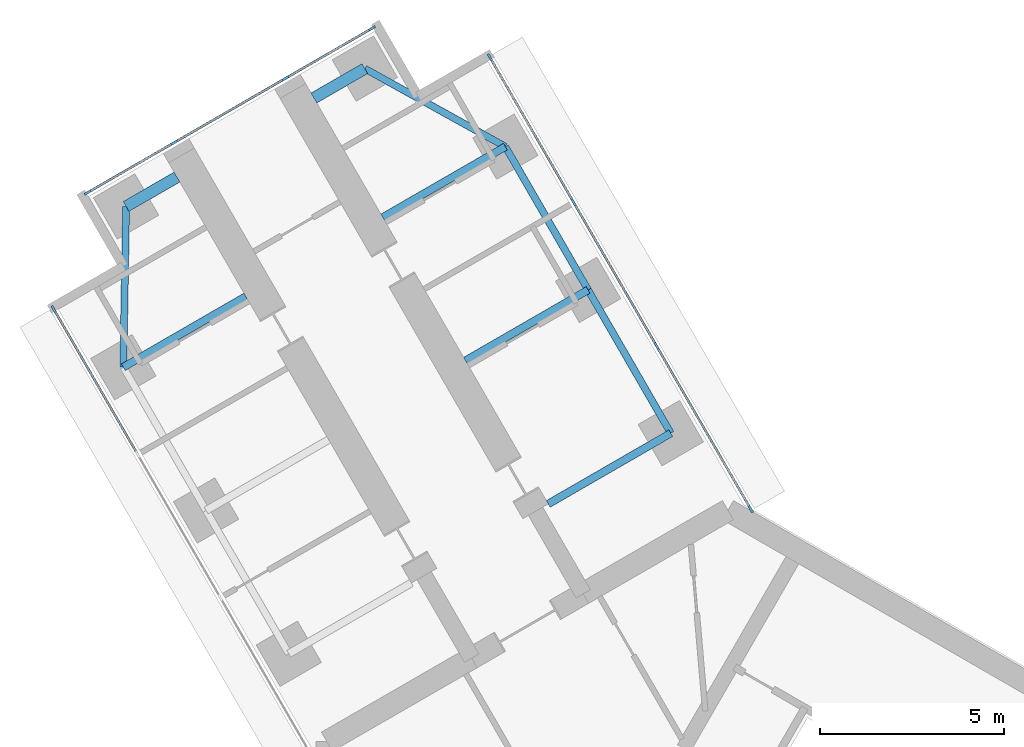
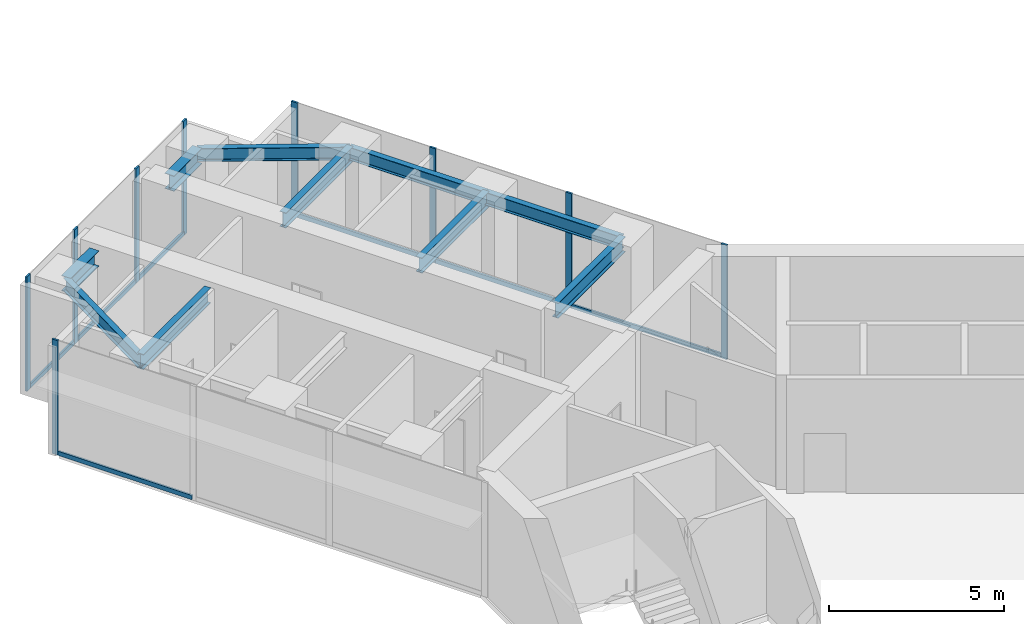
# One storey, part 6 of 22: 16 members, 10 beams, 3 elements without a shape of their own.
"""IFC4 building model written with IfcOpenShell, lengths in metres."""

import ifcopenshell
import ifcopenshell.guid

model = None  # the IFC model being written
_history = None  # IfcOwnerHistory: only IFC2X3 demands one
_inside = {}  # id of a spatial element -> (the spatial element, [elements in it])
_under = {}  # id of a project, library or spatial element -> (it, [spatial elements below it])
_declared = {}  # id of a project -> (the project, [libraries it declares])
_typed = {}  # id of a type object -> (the type object, [elements of that type])
_made_of = {}  # id of a material, layer set ... -> (it, [elements and type objects made of it])


def new_model(schema):
    """Start an empty IFC model of exactly this schema.

    Asked for "IFC4X3", IfcOpenShell would pick the latest addendum, in which some entities
    have other attributes; the version numbers below select the first issue.
    IFC2X3 requires an IfcOwnerHistory on every rooted entity: one is made here for all.
    """
    global model, _history
    if schema == "IFC4X3":
        model = ifcopenshell.file(schema_version=(4, 3, 0, 0))
    else:
        model = ifcopenshell.file(schema=schema)
    _inside.clear()
    _under.clear()
    _declared.clear()
    _typed.clear()
    _made_of.clear()
    _history = None
    if model.schema == "IFC2X3":
        org = make("IfcOrganization", Name="unknown")
        user = make(
            "IfcPersonAndOrganization",
            ThePerson=make("IfcPerson", FamilyName="unknown"),
            TheOrganization=org,
        )
        app = make(
            "IfcApplication",
            ApplicationDeveloper=org,
            Version="unknown",
            ApplicationFullName="unknown",
            ApplicationIdentifier="unknown",
        )
        _history = make(
            "IfcOwnerHistory",
            OwningUser=user,
            OwningApplication=app,
            ChangeAction="ADDED",
            CreationDate=0,
        )
    return model


def make(cls, **values):
    """One entity of the class cls with the attributes given. An attribute that is None is left unset."""
    return model.create_entity(
        cls, **{name: value for name, value in values.items() if value is not None}
    )


def rooted(cls, **values):
    """An entity with a GlobalId (a new one), such as an element, a storey or a relation."""
    return make(cls, GlobalId=ifcopenshell.guid.new(), OwnerHistory=_history, **values)


def si_unit(unit_type, name, prefix=None):
    """IfcSIUnit, for example si_unit("LENGTHUNIT", "METRE", prefix="MILLI")."""
    return make("IfcSIUnit", UnitType=unit_type, Prefix=prefix, Name=name)


def assignment(units):
    """IfcUnitAssignment: the units of a project."""
    return None if units is None else make("IfcUnitAssignment", Units=units)


def point(xyz):
    """IfcCartesianPoint."""
    return None if xyz is None else make("IfcCartesianPoint", Coordinates=xyz)


def direction(xyz):
    """IfcDirection."""
    return None if xyz is None else make("IfcDirection", DirectionRatios=xyz)


def frame(location, z_axis=None, x_axis=None):
    """IfcAxis2Placement3D, a coordinate frame: its origin and axes. An axis left out is left unset."""
    return make(
        "IfcAxis2Placement3D",
        Location=point(location),
        Axis=direction(z_axis),
        RefDirection=direction(x_axis),
    )


def frame_2d(location, x_axis=None):
    """IfcAxis2Placement2D, a coordinate frame in the plane: its origin and x axis."""
    return make(
        "IfcAxis2Placement2D", Location=point(location), RefDirection=direction(x_axis)
    )


def origin():
    """The frame at (0, 0, 0) with its axes left unset."""
    return frame((0.0, 0.0, 0.0))


def origin_2d():
    """The frame at (0, 0) in the plane with its x axis left unset."""
    return frame_2d((0.0, 0.0))


def place(relative_to, where):
    """IfcLocalPlacement: puts the frame where relative to a parent placement (None: the world)."""
    return make(
        "IfcLocalPlacement", PlacementRelTo=relative_to, RelativePlacement=where
    )


def context(
    kind, dimensions, precision=None, world=None, true_north=None, identifier=None
):
    """IfcGeometricRepresentationContext, for example the 3D "Model" context."""
    return make(
        "IfcGeometricRepresentationContext",
        ContextIdentifier=identifier,
        ContextType=kind,
        CoordinateSpaceDimension=dimensions,
        Precision=precision,
        WorldCoordinateSystem=world,
        TrueNorth=true_north,
    )


def subcontext(parent, identifier, kind, view, scale=None):
    """IfcGeometricRepresentationSubContext, for example "Body" below "Model"."""
    return make(
        "IfcGeometricRepresentationSubContext",
        ContextIdentifier=identifier,
        ContextType=kind,
        ParentContext=parent,
        TargetScale=scale,
        TargetView=view,
    )


def project(units=None, contexts=None):
    """IfcProject with its units and contexts."""
    return rooted(
        "IfcProject",
        Name="project",
        RepresentationContexts=contexts,
        UnitsInContext=assignment(units),
    )


def spatial(cls, under=None, at=None, **own):
    """A site, building, storey or space (cls), placed at a placement, below another one or the project."""
    s = rooted(cls, ObjectPlacement=at, **own)
    if under is not None:
        _under.setdefault(under.id(), (under, []))[1].append(s)
    return s


def profile(cls, at=None, kind="AREA", **sizes):
    """A parametric profile (cls). Its sizes go by their IFC names, for example OverallWidth=200.0."""
    return make(cls, ProfileType=kind, Position=at, **sizes)


def rectangle(**sizes):
    """IfcRectangleProfileDef."""
    return profile("IfcRectangleProfileDef", **sizes)


def i_section(**sizes):
    """IfcIShapeProfileDef."""
    return profile("IfcIShapeProfileDef", **sizes)


def extrude(swept, where, along, depth):
    """IfcExtrudedAreaSolid: the profile swept, set in the frame where, extruded along a direction by depth."""
    return make(
        "IfcExtrudedAreaSolid",
        SweptArea=swept,
        Position=where,
        ExtrudedDirection=direction(along),
        Depth=depth,
    )


def shape(context_of_items, identifier, shape_type, items):
    """IfcShapeRepresentation: the items that make up one representation, for example the "Body"."""
    return make(
        "IfcShapeRepresentation",
        ContextOfItems=context_of_items,
        RepresentationIdentifier=identifier,
        RepresentationType=shape_type,
        Items=items,
    )


def material(Name=None, Category=None):
    """IfcMaterial."""
    return make("IfcMaterial", Name=Name, Category=Category)


def material_profile(
    of_material, cross_section, Name=None, Category=None, Priority=None
):
    """IfcMaterialProfile: a cross section and its material."""
    return make(
        "IfcMaterialProfile",
        Name=Name,
        Material=of_material,
        Profile=cross_section,
        Priority=Priority,
        Category=Category,
    )


def profile_set(profiles, Name=None, composite=None):
    """IfcMaterialProfileSet."""
    return make(
        "IfcMaterialProfileSet",
        Name=Name,
        MaterialProfiles=profiles,
        CompositeProfile=composite,
    )


def made_of(thing, what):
    """Note that an element or type object is made of a material, layer set ...; save() writes the relation."""
    if what is not None:
        _made_of.setdefault(what.id(), (what, []))[1].append(thing)
    return thing


def type_object(cls, material=None, **own):
    """A type object (cls), such as IfcWallType, which elements share."""
    return made_of(rooted(cls, **own), material)


def element(
    cls,
    number,
    at=None,
    inside=None,
    cuts=None,
    type_object=None,
    material=None,
    context=None,
    identifier="Body",
    shape_type=None,
    held_by="IfcProductDefinitionShape",
    body=None,
    shapes=None,
    **own,
):
    """One element of the class cls, such as IfcWall. Its Tag is "e" and its number.

    at: its placement. inside: the storey or other place that contains it. cuts: it is an
    opening in that element (IfcRelVoidsElement). A single representation is given by context,
    identifier, shape_type and body (its items); several are given by shapes. held_by: the class
    of the entity that holds the representations. save() writes the other relations.
    """
    e = rooted(cls, Tag="e%d" % number, ObjectPlacement=at, **own)
    if body is not None:
        shapes = [shape(context, identifier, shape_type, body)]
    if shapes is not None:
        e.Representation = make(held_by, Representations=shapes)
    if inside is not None:
        _inside.setdefault(inside.id(), (inside, []))[1].append(e)
    if cuts is not None:
        rooted(
            "IfcRelVoidsElement", RelatingBuildingElement=cuts, RelatedOpeningElement=e
        )
    if type_object is not None:
        _typed.setdefault(type_object.id(), (type_object, []))[1].append(e)
    return made_of(e, material)


def aggregate(whole, parts):
    """IfcRelAggregates: a whole, such as a stair, and the parts it consists of."""
    return rooted("IfcRelAggregates", RelatingObject=whole, RelatedObjects=parts)


def save(model, path):
    """Write the relations noted so far, then the file.

    IfcRelAggregates (storeys below a building ...), IfcRelContainedInSpatialStructure (elements
    in a storey), IfcRelDefinesByType, IfcRelAssociatesMaterial and IfcRelDeclares: one each for
    every whole, place, type object, material and project.
    """
    for whole, parts in _under.values():
        aggregate(whole, parts)
    for where, things in _inside.values():
        rooted(
            "IfcRelContainedInSpatialStructure",
            RelatedElements=things,
            RelatingStructure=where,
        )
    for kind, things in _typed.values():
        rooted("IfcRelDefinesByType", RelatedObjects=things, RelatingType=kind)
    for what, things in _made_of.values():
        rooted("IfcRelAssociatesMaterial", RelatedObjects=things, RelatingMaterial=what)
    for by, libraries in _declared.values():
        rooted("IfcRelDeclares", RelatingContext=by, RelatedDefinitions=libraries)
    model.write(path)


model = new_model("IFC4")

# Units and contexts
model_context = context("Model", 3, precision=1e-05, world=origin(), true_north=direction((0.0, 1.0)))
body_context = subcontext(model_context, "Body", "Model", "MODEL_VIEW")
ifc_project = project(units=[si_unit("LENGTHUNIT", "METRE"), si_unit("AREAUNIT", "SQUARE_METRE"), si_unit("VOLUMEUNIT", "CUBIC_METRE"), si_unit("PLANEANGLEUNIT", "RADIAN"), si_unit("MASSUNIT", "GRAM", prefix="KILO")], contexts=[model_context])

# Site, building, storey
site_placement = place(None, origin())
site = spatial("IfcSite", under=ifc_project, at=site_placement, CompositionType="ELEMENT")
building_placement = place(site_placement, origin())
building = spatial("IfcBuilding", under=site, at=building_placement, Name="Upepo Twin Towers", CompositionType="ELEMENT")
storey_placement = place(building_placement, frame((0.0, 0.0, 141.5)))
storey = spatial("IfcBuildingStorey", under=building, at=storey_placement, Name="L34", CompositionType="ELEMENT", Elevation=141.5)

# Beams
ifc_material_1 = material(Name="Steel S355", Category="steel")
ifc_material_profile_1 = material_profile(ifc_material_1, i_section(OverallWidth=0.1904296875, OverallDepth=0.45703125, WebThickness=0.009033203125, FlangeThickness=0.014404296875, FilletRadius=0.01025390625, at=origin_2d()), Name="UB 457x191x74")
ifc_profile_set_1 = profile_set([ifc_material_profile_1], Name="Steel S355")
beam_type_1 = type_object("IfcBeamType", Name="Beam UB 457x191x74", PredefinedType="BEAM", material=ifc_profile_set_1)
beam_1_placement = place(storey_placement, frame((-16.446044921875, 16.485595703125, 3.571533203125), z_axis=(0.016803880528, 0.999858804832, 0.0), x_axis=(-0.999858804832, 0.016803880528, 0.0)))
element("IfcBeam", 1, at=beam_1_placement, inside=storey, type_object=beam_type_1, Name="T1 nose edge beam BL", PredefinedType="BEAM", context=body_context, shape_type="SweptSolid", body=[
    extrude(i_section(OverallWidth=0.1904296875, OverallDepth=0.45703125, WebThickness=0.009033203125, FlangeThickness=0.014404296875, FilletRadius=0.01025390625, at=origin_2d()), origin(), (0.0, 0.0, 1.0), 4.373291015625),
])
beam_2_placement = place(storey_placement, frame((-1.553955078125, 14.69140625, 3.571533203125), z_axis=(-0.500013631625, 0.866017533419, 0.0), x_axis=(-0.866017533419, -0.500013631625, 0.0)))
element("IfcBeam", 2, at=beam_2_placement, inside=storey, type_object=beam_type_1, Name="T1 edge beam BR 13.5-18.0", PredefinedType="BEAM", context=body_context, shape_type="SweptSolid", body=[
    extrude(i_section(OverallWidth=0.1904296875, OverallDepth=0.45703125, WebThickness=0.009033203125, FlangeThickness=0.014404296875, FilletRadius=0.01025390625, at=origin_2d()), origin(), (0.0, 0.0, 1.0), 4.499755859375),
])
beam_3_placement = place(storey_placement, frame((-3.803955078125, 18.58837890625, 3.571533203125), z_axis=(-0.499990139034, 0.866031096941, 0.0), x_axis=(-0.866031096941, -0.499990139034, 0.0)))
element("IfcBeam", 3, at=beam_3_placement, inside=storey, type_object=beam_type_1, Name="T1 edge beam BR 18.0-22.5", PredefinedType="BEAM", context=body_context, shape_type="SweptSolid", body=[
    extrude(i_section(OverallWidth=0.1904296875, OverallDepth=0.45703125, WebThickness=0.009033203125, FlangeThickness=0.014404296875, FilletRadius=0.01025390625, at=origin_2d()), origin(), (0.0, 0.0, 1.0), 4.5),
])
beam_4_placement = place(storey_placement, frame((-6.053955078125, 22.485595703125, 3.571533203125), z_axis=(-0.874312600038, 0.485363242752, 0.0), x_axis=(-0.485363242752, -0.874312600038, 0.0)))
element("IfcBeam", 4, at=beam_4_placement, inside=storey, type_object=beam_type_1, Name="T1 nose edge beam BR", PredefinedType="BEAM", context=body_context, shape_type="SweptSolid", body=[
    extrude(i_section(OverallWidth=0.1904296875, OverallDepth=0.45703125, WebThickness=0.009033203125, FlangeThickness=0.014404296875, FilletRadius=0.01025390625, at=origin_2d()), origin(), (0.0, 0.0, 1.0), 4.373046875),
])
ifc_material_2 = material(Name="Steel S355", Category="steel")
ifc_material_profile_2 = material_profile(ifc_material_2, i_section(OverallWidth=0.209228515625, OverallDepth=0.533203125, WebThickness=0.010009765625, FlangeThickness=0.015625, FilletRadius=0.0126953125, at=origin_2d()), Name="UB 533x210x92")
ifc_profile_set_2 = profile_set([ifc_material_profile_2], Name="Steel S355")
beam_type_2 = type_object("IfcBeamType", Name="Beam UB 533x210x92", PredefinedType="BEAM", material=ifc_profile_set_2)
for number, where, z_axis, x_axis, name in (
    (5, (-16.446044921875, 16.485595703125, 3.533447265625), (0.866006051527, 0.500033517596, 0.0), (-0.500033517596, 0.866006051527, 0.0), "T1 girder BL at 22.5"),
    (6, (-1.553955078125, 14.69140625, 3.533447265625), (-0.866006051527, -0.500033517596, 0.0), (0.500033517596, -0.866006051527, 0.0), "T1 girder BR at 13.5"),
):
    element("IfcBeam", number, at=place(storey_placement, frame(where, z_axis=z_axis, x_axis=x_axis)), inside=storey, type_object=beam_type_2, Name=name, PredefinedType="BEAM", context=body_context, shape_type="SweptSolid", body=[
        extrude(i_section(OverallWidth=0.209228515625, OverallDepth=0.533203125, WebThickness=0.010009765625, FlangeThickness=0.015625, FilletRadius=0.0126953125, at=origin_2d()), origin(), (0.0, 0.0, 1.0), 3.849853515625),
    ])
beam_5_placement = place(storey_placement, frame((-3.803955078125, 18.58837890625, 3.533447265625), z_axis=(-0.866033512162, -0.499985955615, 0.0), x_axis=(0.499985955615, -0.866033512162, 0.0)))
element("IfcBeam", 7, at=beam_5_placement, inside=storey, type_object=beam_type_2, Name="T1 girder BR at 18.0", PredefinedType="BEAM", context=body_context, shape_type="SweptSolid", body=[
    extrude(i_section(OverallWidth=0.209228515625, OverallDepth=0.533203125, WebThickness=0.010009765625, FlangeThickness=0.015625, FilletRadius=0.0126953125, at=origin_2d()), origin(), (0.0, 0.0, 1.0), 3.849609375),
])
beam_6_placement = place(storey_placement, frame((-6.053955078125, 22.485595703125, 3.533447265625), z_axis=(-0.866006051527, -0.500033517596, 0.0), x_axis=(0.500033517596, -0.866006051527, 0.0)))
element("IfcBeam", 8, at=beam_6_placement, inside=storey, type_object=beam_type_2, Name="T1 girder BR at 22.5", PredefinedType="BEAM", context=body_context, shape_type="SweptSolid", body=[
    extrude(i_section(OverallWidth=0.209228515625, OverallDepth=0.533203125, WebThickness=0.010009765625, FlangeThickness=0.015625, FilletRadius=0.0126953125, at=origin_2d()), origin(), (0.0, 0.0, 1.0), 3.849853515625),
])
ifc_material_3 = material(Name="Steel S355", Category="steel")
ifc_material_profile_3 = material_profile(ifc_material_3, i_section(OverallWidth=0.31201171875, OverallDepth=0.54345703125, WebThickness=0.0126953125, FlangeThickness=0.020263671875, FilletRadius=0.0126953125, at=origin_2d()), Name="UB 533x312x150")
ifc_profile_set_3 = profile_set([ifc_material_profile_3], Name="Steel S355")
beam_type_3 = type_object("IfcBeamType", Name="Beam UB 533x312x150", PredefinedType="BEAM", material=ifc_profile_set_3)
for number, where, z_axis, x_axis, name in (
    (9, (-16.37255859375, 20.858154296875, 3.5283203125), (0.865989903783, 0.500061482766, 0.0), (-0.500061482766, 0.865989903783, 0.0), "T1 nose beam BL"),
    (10, (-9.87744140625, 24.608154296875, 3.5283203125), (-0.865989903783, -0.500061482766, 0.0), (0.500061482766, -0.865989903783, 0.0), "T1 nose beam BR"),
):
    element("IfcBeam", number, at=place(storey_placement, frame(where, z_axis=z_axis, x_axis=x_axis)), inside=storey, type_object=beam_type_3, Name=name, PredefinedType="BEAM", context=body_context, shape_type="SweptSolid", body=[
        extrude(i_section(OverallWidth=0.31201171875, OverallDepth=0.54345703125, WebThickness=0.0126953125, FlangeThickness=0.020263671875, FilletRadius=0.0126953125, at=origin_2d()), origin(), (0.0, 0.0, 1.0), 1.599853515625),
    ])

# Curtain wall, member
ifc_material_4 = material(Name="Aluminium and fritted glass", Category="aluminium")
curtain_wall_type = type_object("IfcCurtainWallType", Name="Tower curtain wall TW2, fritted glass", PredefinedType="NOTDEFINED", material=ifc_material_4)
curtain_wall_1_placement = place(storey_placement, origin())
curtain_wall_1 = element("IfcCurtainWall", 11, at=curtain_wall_1_placement, inside=storey, type_object=curtain_wall_type, Name="T1 L34 wing B flank L curtain wall", PredefinedType="NOTDEFINED")
ifc_material_5 = material(Name="Aluminium mullion", Category="aluminium")
ifc_material_profile_4 = material_profile(ifc_material_5, rectangle(XDim=0.06494140625, YDim=0.199951171875, at=origin_2d()), Name="MULLION 65x200")
ifc_profile_set_4 = profile_set([ifc_material_profile_4], Name="Aluminium mullion")
member_type_1 = type_object("IfcMemberType", Name="Mullion 65x200 TW2", PredefinedType="MULLION", material=ifc_profile_set_4)
member_1_placement = place(storey_placement, frame((-18.341064453125, 18.067626953125, 0.0), z_axis=(0.0, 0.0, 1.0), x_axis=(-0.866025397833, -0.500000010308, 0.0)))
member_1 = element("IfcMember", 12, at=member_1_placement, type_object=member_type_1, Name="T1 L34 wing B flank L curtain wall mullion 4", PredefinedType="MULLION", context=body_context, shape_type="SweptSolid", body=[
    extrude(rectangle(XDim=0.06494140625, YDim=0.199951171875, at=origin_2d()), origin(), (0.0, 0.0, 1.0), 4.0),
])

# Curtain wall, members
curtain_wall_2_placement = place(storey_placement, origin())
curtain_wall_2 = element("IfcCurtainWall", 13, at=curtain_wall_2_placement, inside=storey, type_object=curtain_wall_type, Name="T1 L34 wing B flank R curtain wall", PredefinedType="NOTDEFINED")
member_2_placement = place(storey_placement, frame((-6.4765625, 24.91748046875, 0.0), z_axis=(0.0, 0.0, 1.0), x_axis=(0.866025397833, 0.500000010308, 0.0)))
member_2 = element("IfcMember", 14, at=member_2_placement, type_object=member_type_1, Name="T1 L34 wing B flank R curtain wall mullion 1", PredefinedType="MULLION", context=body_context, shape_type="SweptSolid", body=[
    extrude(rectangle(XDim=0.06494140625, YDim=0.199951171875, at=origin_2d()), origin(), (0.0, 0.0, 1.0), 4.0),
])
member_3_placement = place(storey_placement, frame((-4.192626953125, 20.9619140625, 0.0), z_axis=(0.0, 0.0, 1.0), x_axis=(0.866025397833, 0.500000010308, 0.0)))
member_3 = element("IfcMember", 15, at=member_3_placement, type_object=member_type_1, Name="T1 L34 wing B flank R curtain wall mullion 2", PredefinedType="MULLION", context=body_context, shape_type="SweptSolid", body=[
    extrude(rectangle(XDim=0.06494140625, YDim=0.199951171875, at=origin_2d()), origin(), (0.0, 0.0, 1.0), 4.0),
])
member_4_placement = place(storey_placement, frame((-1.942626953125, 17.06494140625, 0.0), z_axis=(0.0, 0.0, 1.0), x_axis=(0.866025397833, 0.500000010308, 0.0)))
member_4 = element("IfcMember", 16, at=member_4_placement, type_object=member_type_1, Name="T1 L34 wing B flank R curtain wall mullion 3", PredefinedType="MULLION", context=body_context, shape_type="SweptSolid", body=[
    extrude(rectangle(XDim=0.06494140625, YDim=0.199951171875, at=origin_2d()), origin(), (0.0, 0.0, 1.0), 4.0),
])
member_5_placement = place(storey_placement, frame((0.62255859375, 12.621826171875, 0.0), z_axis=(0.0, 0.0, 1.0), x_axis=(0.866025397833, 0.500000010308, 0.0)))
member_5 = element("IfcMember", 17, at=member_5_placement, type_object=member_type_1, Name="T1 L34 wing B flank R curtain wall mullion 4", PredefinedType="MULLION", context=body_context, shape_type="SweptSolid", body=[
    extrude(rectangle(XDim=0.06494140625, YDim=0.199951171875, at=origin_2d()), origin(), (0.0, 0.0, 1.0), 4.0),
])

curtain_wall_3_placement = place(storey_placement, origin())
curtain_wall_3 = element("IfcCurtainWall", 18, at=curtain_wall_3_placement, inside=storey, type_object=curtain_wall_type, Name="T1 L34 wing B nose curtain wall", PredefinedType="NOTDEFINED")
member_6_placement = place(storey_placement, frame((-9.68115234375, 25.703125, 0.0), z_axis=(0.0, 0.0, 1.0), x_axis=(0.500000030502, -0.866025386174, 0.0)))
member_6 = element("IfcMember", 19, at=member_6_placement, type_object=member_type_1, Name="T1 L34 wing B nose curtain wall mullion 1", PredefinedType="MULLION", context=body_context, shape_type="SweptSolid", body=[
    extrude(rectangle(XDim=0.06494140625, YDim=0.199951171875, at=origin_2d()), origin(), (0.0, 0.0, 1.0), 4.0),
])
member_7_placement = place(storey_placement, frame((-12.034423828125, 24.34423828125, 0.0), z_axis=(0.0, 0.0, 1.0), x_axis=(0.500000030502, -0.866025386174, 0.0)))
member_7 = element("IfcMember", 20, at=member_7_placement, type_object=member_type_1, Name="T1 L34 wing B nose curtain wall mullion 2", PredefinedType="MULLION", context=body_context, shape_type="SweptSolid", body=[
    extrude(rectangle(XDim=0.06494140625, YDim=0.199951171875, at=origin_2d()), origin(), (0.0, 0.0, 1.0), 4.0),
])
member_8_placement = place(storey_placement, frame((-15.0654296875, 22.59423828125, 0.0), z_axis=(0.0, 0.0, 1.0), x_axis=(0.500000030502, -0.866025386174, 0.0)))
member_8 = element("IfcMember", 21, at=member_8_placement, type_object=member_type_1, Name="T1 L34 wing B nose curtain wall mullion 3", PredefinedType="MULLION", context=body_context, shape_type="SweptSolid", body=[
    extrude(rectangle(XDim=0.06494140625, YDim=0.199951171875, at=origin_2d()), origin(), (0.0, 0.0, 1.0), 4.0),
])
member_9_placement = place(storey_placement, frame((-17.4189453125, 21.235595703125, 0.0), z_axis=(0.0, 0.0, 1.0), x_axis=(0.500000030502, -0.866025386174, 0.0)))
member_9 = element("IfcMember", 22, at=member_9_placement, type_object=member_type_1, Name="T1 L34 wing B nose curtain wall mullion 4", PredefinedType="MULLION", context=body_context, shape_type="SweptSolid", body=[
    extrude(rectangle(XDim=0.06494140625, YDim=0.199951171875, at=origin_2d()), origin(), (0.0, 0.0, 1.0), 4.0),
])

# Member
ifc_material_6 = material(Name="Aluminium transom", Category="aluminium")
ifc_material_profile_5 = material_profile(ifc_material_6, rectangle(XDim=0.06494140625, YDim=0.14990234375, at=origin_2d()), Name="TRANSOM 65x150")
ifc_profile_set_5 = profile_set([ifc_material_profile_5], Name="Aluminium transom")
member_type_2 = type_object("IfcMemberType", Name="Transom 65x150 TW2", PredefinedType="USERDEFINED", material=ifc_profile_set_5)
member_10_placement = place(storey_placement, frame((-16.073486328125, 14.14013671875, 0.074951171875), z_axis=(-0.499982167615, 0.866035699072, 0.0), x_axis=(-0.866035699072, -0.499982167615, 0.0)))
member_10 = element("IfcMember", 23, at=member_10_placement, type_object=member_type_2, Name="T1 L34 wing B flank L curtain wall transom 3", ObjectType="TRANSOM", PredefinedType="USERDEFINED", context=body_context, shape_type="SweptSolid", body=[
    extrude(rectangle(XDim=0.06494140625, YDim=0.14990234375, at=origin_2d()), origin(), (0.0, 0.0, 1.0), 4.502685546875),
])

aggregate(curtain_wall_1, [member_1, member_10])

member_11_placement = place(storey_placement, frame((-6.460205078125, 24.889404296875, 0.074951171875), z_axis=(0.500005646842, -0.866022143554, 0.0), x_axis=(0.866022143554, 0.500005646842, 0.0)))
member_11 = element("IfcMember", 24, at=member_11_placement, type_object=member_type_2, Name="T1 L34 wing B flank R curtain wall transom 1", ObjectType="TRANSOM", PredefinedType="USERDEFINED", context=body_context, shape_type="SweptSolid", body=[
    extrude(rectangle(XDim=0.06494140625, YDim=0.14990234375, at=origin_2d()), origin(), (0.0, 0.0, 1.0), 4.50244140625),
])

member_12_placement = place(storey_placement, frame((-4.176513671875, 20.933837890625, 0.074951171875), z_axis=(0.500005184116, -0.866022410713, 0.0), x_axis=(0.866022410713, 0.500005184116, 0.0)))
member_12 = element("IfcMember", 25, at=member_12_placement, type_object=member_type_2, Name="T1 L34 wing B flank R curtain wall transom 2", ObjectType="TRANSOM", PredefinedType="USERDEFINED", context=body_context, shape_type="SweptSolid", body=[
    extrude(rectangle(XDim=0.06494140625, YDim=0.14990234375, at=origin_2d()), origin(), (0.0, 0.0, 1.0), 4.43505859375),
])

member_13_placement = place(storey_placement, frame((-1.926513671875, 17.036865234375, 0.074951171875), z_axis=(0.499985288567, -0.866033897268, 0.0), x_axis=(0.866033897268, 0.499985288567, 0.0)))
member_13 = element("IfcMember", 26, at=member_13_placement, type_object=member_type_2, Name="T1 L34 wing B flank R curtain wall transom 3", ObjectType="TRANSOM", PredefinedType="USERDEFINED", context=body_context, shape_type="SweptSolid", body=[
    extrude(rectangle(XDim=0.06494140625, YDim=0.14990234375, at=origin_2d()), origin(), (0.0, 0.0, 1.0), 5.065673828125),
])

aggregate(curtain_wall_2, [member_2, member_3, member_4, member_5, member_11, member_12, member_13])

member_14_placement = place(storey_placement, frame((-9.709228515625, 25.686767578125, 0.074951171875), z_axis=(-0.866036909293, -0.499980071345, 0.0), x_axis=(0.499980071345, -0.866036909293, 0.0)))
member_14 = element("IfcMember", 27, at=member_14_placement, type_object=member_type_2, Name="T1 L34 wing B nose curtain wall transom 1", ObjectType="TRANSOM", PredefinedType="USERDEFINED", context=body_context, shape_type="SweptSolid", body=[
    extrude(rectangle(XDim=0.06494140625, YDim=0.14990234375, at=origin_2d()), origin(), (0.0, 0.0, 1.0), 2.65234375),
])

member_15_placement = place(storey_placement, frame((-12.0625, 24.328125, 0.074951171875), z_axis=(-0.866025804792, -0.499999305434, 0.0), x_axis=(0.499999305434, -0.866025804792, 0.0)))
member_15 = element("IfcMember", 28, at=member_15_placement, type_object=member_type_2, Name="T1 L34 wing B nose curtain wall transom 2", ObjectType="TRANSOM", PredefinedType="USERDEFINED", context=body_context, shape_type="SweptSolid", body=[
    extrude(rectangle(XDim=0.06494140625, YDim=0.14990234375, at=origin_2d()), origin(), (0.0, 0.0, 1.0), 3.43505859375),
])

member_16_placement = place(storey_placement, frame((-15.09375, 22.578125, 0.074951171875), z_axis=(-0.865997053448, -0.500049101008, 0.0), x_axis=(0.500049101008, -0.865997053448, 0.0)))
member_16 = element("IfcMember", 29, at=member_16_placement, type_object=member_type_2, Name="T1 L34 wing B nose curtain wall transom 3", ObjectType="TRANSOM", PredefinedType="USERDEFINED", context=body_context, shape_type="SweptSolid", body=[
    extrude(rectangle(XDim=0.06494140625, YDim=0.14990234375, at=origin_2d()), origin(), (0.0, 0.0, 1.0), 2.652587890625),
])

aggregate(curtain_wall_3, [member_6, member_7, member_8, member_9, member_14, member_15, member_16])

save(model, "model.ifc")
